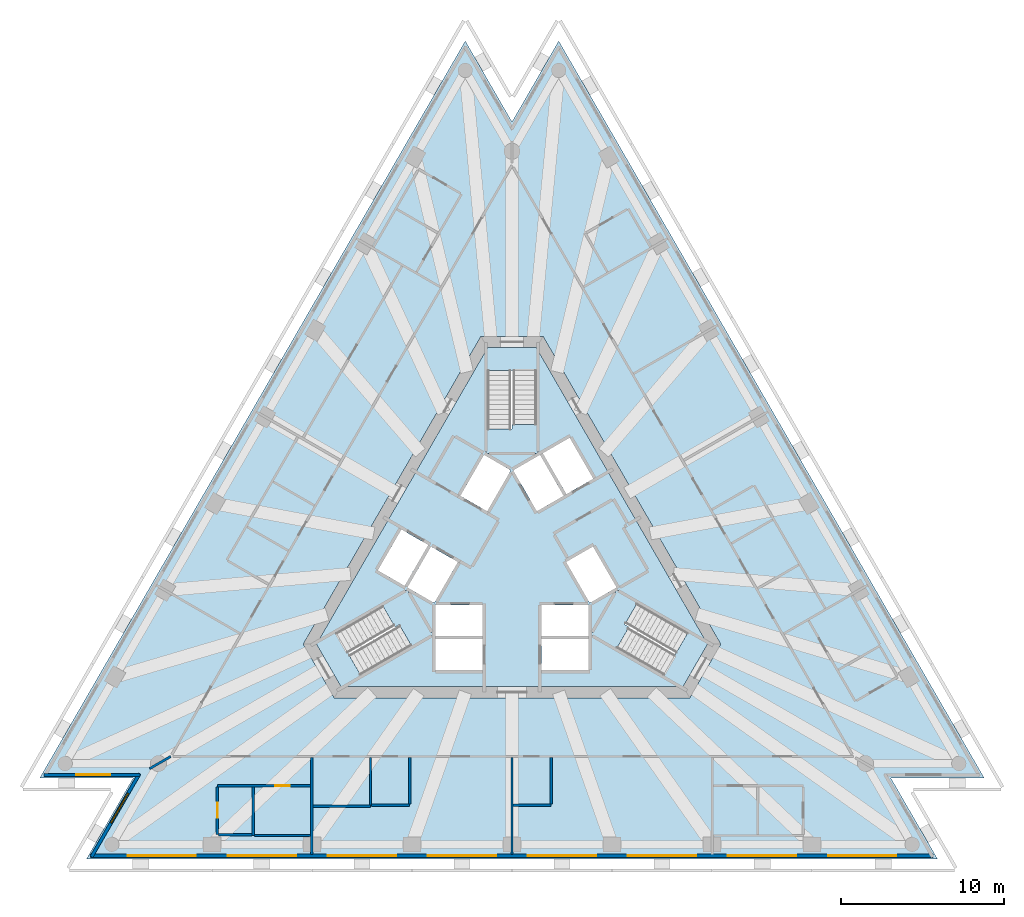
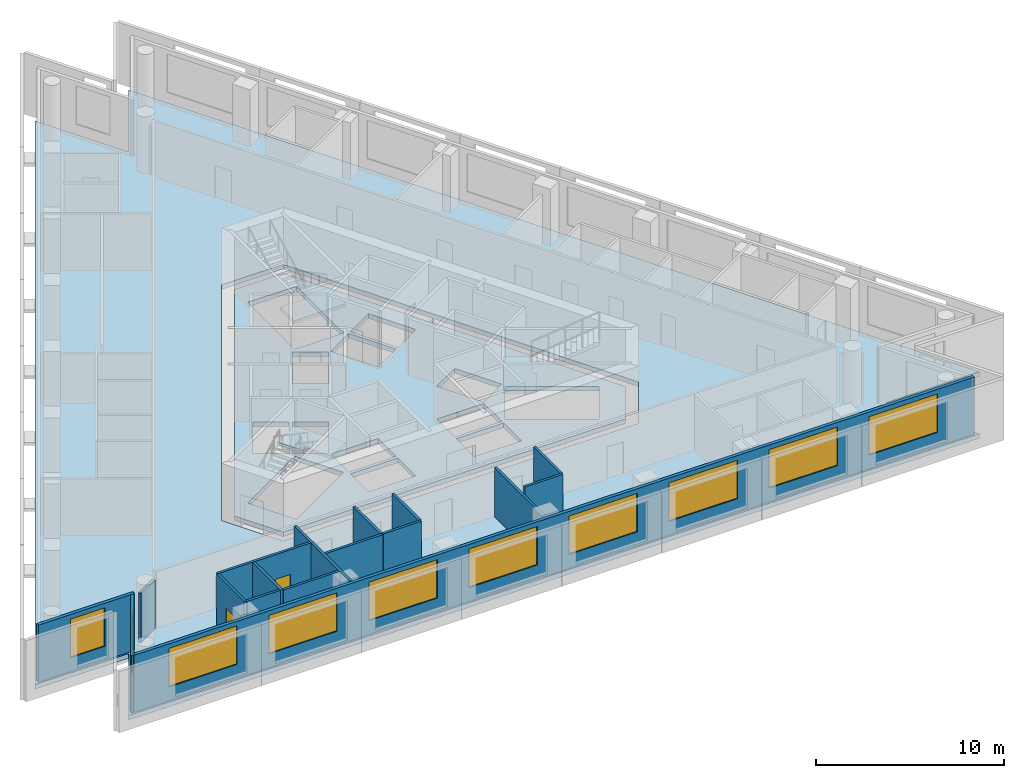
# One storey, part 2 of 9: 17 walls, 10 windows, 5 slabs, 2 doors, 12 openings, 3 elements without a shape of their own.
"""IFC4 building model written with IfcOpenShell, lengths in metres."""

from ifc_helpers import new_model, si_unit, direction, frame, frame_2d, origin, place, context, subcontext, project, spatial, polyline, rectangle, outline, extrude, material, layer, layer_set, layer_usage, type_object, element, fill, aggregate, save


model = new_model("IFC4")

# Units and contexts
model_context = context("Model", 3, precision=1e-05, world=origin(), true_north=direction((0.0, 1.0)))
body_context = subcontext(model_context, "Body", "Model", "MODEL_VIEW")
ifc_project = project(units=[si_unit("LENGTHUNIT", "METRE"), si_unit("AREAUNIT", "SQUARE_METRE"), si_unit("VOLUMEUNIT", "CUBIC_METRE"), si_unit("PLANEANGLEUNIT", "RADIAN"), si_unit("MASSUNIT", "GRAM", prefix="KILO")], contexts=[model_context])

# Site, building, storey
site_placement = place(None, origin())
site = spatial("IfcSite", under=ifc_project, at=site_placement, CompositionType="ELEMENT")
building_placement = place(site_placement, origin())
building = spatial("IfcBuilding", under=site, at=building_placement, Name="Triada Interchange Tower", CompositionType="ELEMENT")
storey_placement = place(building_placement, frame((0.0, 0.0, 203.300048828125)))
storey = spatial("IfcBuildingStorey", under=building, at=storey_placement, Name="L47", CompositionType="ELEMENT", Elevation=203.300048828125)

# Slabs
ifc_material_1 = material(Name="Concrete C50/60", Category="concrete")
ifc_layer_1 = layer(ifc_material_1, 0.300048828125)
ifc_layer_set_1 = layer_set([ifc_layer_1], Name="Floor slab 300")
slab_type_1 = type_object("IfcSlabType", Name="Floor slab 300", PredefinedType="FLOOR", material=ifc_layer_set_1)
slab_1_placement = place(storey_placement, frame((0.0, 0.0, -0.300048828125)))
element("IfcSlab", 1, at=slab_1_placement, inside=storey, type_object=slab_type_1, Name="Floor slab L47", PredefinedType="FLOOR", context=body_context, shape_type="SweptSolid", body=[
    extrude(outline(polyline([(-2.868896484375, 31.8349609375), (-29.0048828125, -13.43310546875), (-23.26708984375, -13.43310546875), (-26.135986328125, -18.402099609375), (26.135986328125, -18.402099609375), (23.26708984375, -13.43310546875), (29.0048828125, -13.43310546875), (2.868896484375, 31.8349609375), (0.0, 26.866943359375), (-2.868896484375, 31.8349609375)]), holes=[polyline([(1.905029296875, 13.699951171875), (-1.905029296875, 13.699951171875), (-12.81689453125, -5.199951171875), (-10.912109375, -8.5), (10.912109375, -8.5), (12.81689453125, -5.199951171875), (1.905029296875, 13.699951171875)])]), origin(), (0.0, 0.0, 1.0), 0.300048828125),
])
slab_2_placement = place(storey_placement, frame((0.0, 0.0, -0.300048828125)))
element("IfcSlab", 2, at=slab_2_placement, inside=storey, type_object=slab_type_1, Name="Core floor slab L47 1", PredefinedType="FLOOR", context=body_context, shape_type="SweptSolid", body=[
    extrude(outline(polyline([(12.009033203125, -5.199951171875), (10.508056640625, -7.800048828125), (-10.508056640625, -7.800048828125), (-12.009033203125, -5.199951171875), (-1.5009765625, 13.0), (1.5009765625, 13.0), (12.009033203125, -5.199951171875)]), holes=[polyline([(9.2958984375, -7.09912109375), (10.7958984375, -4.5009765625), (6.466064453125, -2.0009765625), (4.966064453125, -4.59912109375), (9.2958984375, -7.09912109375)]), polyline([(4.77490234375, -2.669921875), (6.419921875, -1.719970703125), (4.969970703125, 0.791015625), (4.137939453125, 0.31103515625), (3.324951171875, -0.158935546875), (4.77490234375, -2.669921875)]), polyline([(1.89404296875, 6.52001953125), (3.343994140625, 4.009033203125), (4.989013671875, 4.958984375), (3.5390625, 7.469970703125), (1.89404296875, 6.52001953125)]), polyline([(1.800048828125, -4.89990234375), (1.800048828125, -6.4990234375), (1.800048828125, -6.800048828125), (4.699951171875, -6.800048828125), (4.699951171875, -4.89990234375), (1.800048828125, -4.89990234375)]), polyline([(4.699951171875, -2.800048828125), (1.800048828125, -2.800048828125), (1.800048828125, -4.699951171875), (4.699951171875, -4.699951171875), (4.699951171875, -2.800048828125)]), polyline([(0.074951171875, 5.469970703125), (1.52490234375, 2.958984375), (3.169921875, 3.908935546875), (1.719970703125, 6.419921875), (0.074951171875, 5.469970703125)]), polyline([(-1.5, 11.60009765625), (-1.5, 6.60009765625), (1.5, 6.60009765625), (1.5, 11.60009765625), (-1.5, 11.60009765625)]), polyline([(-1.52490234375, 2.958984375), (-0.074951171875, 5.469970703125), (-1.719970703125, 6.419921875), (-3.169921875, 3.908935546875), (-1.52490234375, 2.958984375)]), polyline([(-1.800048828125, -2.800048828125), (-4.699951171875, -2.800048828125), (-4.699951171875, -4.699951171875), (-1.800048828125, -4.699951171875), (-1.800048828125, -2.800048828125)]), polyline([(-4.699951171875, -6.800048828125), (-1.800048828125, -6.800048828125), (-1.800048828125, -6.4990234375), (-1.800048828125, -4.89990234375), (-4.699951171875, -4.89990234375), (-4.699951171875, -6.800048828125)]), polyline([(-3.367919921875, -0.134033203125), (-4.969970703125, 0.791015625), (-6.419921875, -1.719970703125), (-4.77490234375, -2.669921875), (-3.324951171875, -0.158935546875), (-3.367919921875, -0.134033203125)]), polyline([(-10.7958984375, -4.5009765625), (-9.2958984375, -7.09912109375), (-4.966064453125, -4.59912109375), (-6.466064453125, -2.0009765625), (-10.7958984375, -4.5009765625)]), polyline([(-6.593994140625, -1.6201171875), (-5.14404296875, 0.89111328125), (-6.7890625, 1.841064453125), (-8.239013671875, -0.669921875), (-6.593994140625, -1.6201171875)])]), origin(), (0.0, 0.0, 1.0), 0.300048828125),
])

# Stair, slab
ifc_material_2 = material(Name="Concrete C35/45", Category="concrete")
stair_type = type_object("IfcStairType", Name="HALF TURN STAIR 1400", PredefinedType="HALF_TURN_STAIR", material=ifc_material_2)
stair_1_placement = place(storey_placement, origin())
stair_1 = element("IfcStair", 3, at=stair_1_placement, inside=storey, type_object=stair_type, Name="Exit stair S47-1", PredefinedType="HALF_TURN_STAIR")
ifc_layer_2 = layer(ifc_material_2, 0.199951171875)
ifc_layer_set_2 = layer_set([ifc_layer_2], Name="STAIR LANDING 200")
slab_type_2 = type_object("IfcSlabType", Name="STAIR LANDING 200", PredefinedType="LANDING", material=ifc_layer_set_2)
slab_3_placement = place(storey_placement, frame((0.0, 0.0, 1.719970703125)))
slab_3 = element("IfcSlab", 4, at=slab_3_placement, type_object=slab_type_2, Name="S47-1 landing 1", PredefinedType="LANDING", context=body_context, shape_type="SweptSolid", body=[
    extrude(outline(polyline([(1.60009765625, 6.5), (1.60009765625, 8.300048828125), (0.0, 8.300048828125), (0.0, 8.0), (-1.60009765625, 8.0), (-1.60009765625, 6.5), (1.60009765625, 6.5)])), origin(), (0.0, 0.0, 1.0), 0.199951171875),
])
aggregate(stair_1, [slab_3])

stair_2_placement = place(storey_placement, origin())
stair_2 = element("IfcStair", 5, at=stair_2_placement, inside=storey, type_object=stair_type, Name="Exit stair S47-2", PredefinedType="HALF_TURN_STAIR")
slab_4_placement = place(storey_placement, frame((0.0, 0.0, 1.719970703125)))
slab_4 = element("IfcSlab", 6, at=slab_4_placement, type_object=slab_type_2, Name="S47-2 landing 1", PredefinedType="LANDING", context=body_context, shape_type="SweptSolid", body=[
    extrude(outline(polyline([(-6.428955078125, -1.864013671875), (-7.988037109375, -2.763916015625), (-7.18798828125, -4.14990234375), (-6.927978515625, -4.0), (-6.1279296875, -5.385986328125), (-4.8291015625, -4.635986328125), (-6.428955078125, -1.864013671875)])), origin(), (0.0, 0.0, 1.0), 0.199951171875),
])
aggregate(stair_2, [slab_4])

stair_3_placement = place(storey_placement, origin())
stair_3 = element("IfcStair", 7, at=stair_3_placement, inside=storey, type_object=stair_type, Name="Exit stair S47-3", PredefinedType="HALF_TURN_STAIR")
slab_5_placement = place(storey_placement, frame((0.0, 0.0, 1.719970703125)))
slab_5 = element("IfcSlab", 8, at=slab_5_placement, type_object=slab_type_2, Name="S47-3 landing 1", PredefinedType="LANDING", context=body_context, shape_type="SweptSolid", body=[
    extrude(outline(polyline([(4.8291015625, -4.635986328125), (6.387939453125, -5.535888671875), (7.18798828125, -4.14990234375), (6.927978515625, -4.0), (7.72802734375, -2.614013671875), (6.428955078125, -1.864013671875), (4.8291015625, -4.635986328125)])), origin(), (0.0, 0.0, 1.0), 0.199951171875),
])
aggregate(stair_3, [slab_5])

# Wall, opening, window
ifc_material_3 = material(Name="Cement board")
ifc_layer_3 = layer(ifc_material_3, 0.02001953125, Name="Cement board cladding")
ifc_material_4 = material(Name="Sheathing board")
ifc_layer_4 = layer(ifc_material_4, 0.014892578125, Name="Sheathing board")
ifc_material_5 = material(Name="Mineral wool")
ifc_layer_5 = layer(ifc_material_5, 0.14990234375, Name="Mineral wool between steel studs")
ifc_material_6 = material(Name="Gypsum board")
ifc_layer_6 = layer(ifc_material_6, 0.014892578125, Name="Plasterboard lining")
ifc_layer_set_3 = layer_set([ifc_layer_3, ifc_layer_4, ifc_layer_5, ifc_layer_6], Name="External wall 200")
ifc_layer_usage = layer_usage(ifc_layer_set_3, "AXIS2", "POSITIVE", -0.10009765625)
wall_type_1 = type_object("IfcWallType", Name="External wall 200", PredefinedType="ELEMENTEDWALL", material=ifc_layer_set_3)
wall_1_placement = place(storey_placement, frame((-28.7490234375, -13.23291015625, 0.0), z_axis=(0.0, 0.0, 1.0), x_axis=(1.0, 0.0, 0.0)))
wall_1 = element("IfcWall", 9, at=wall_1_placement, inside=storey, type_object=wall_type_1, material=ifc_layer_usage, Name="External wall L47 SW-1", PredefinedType="ELEMENTEDWALL", context=body_context, shape_type="SweptSolid", body=[
    extrude(rectangle(XDim=5.89794921875, YDim=0.199951171875, at=frame_2d((2.948974609375, 0.0))), origin(), (0.0, 0.0, 1.0), 3.699951171875),
])
opening_1_placement = place(wall_1_placement, frame((1.989990234375, 0.0, 0.89990234375)))
opening_1 = element("IfcOpeningElement", 10, at=opening_1_placement, cuts=wall_1, Name="Opening WC09", PredefinedType="OPENING", context=body_context, shape_type="SweptSolid", body=[
    extrude(rectangle(XDim=2.10009765625, YDim=2.5, at=frame_2d((1.050048828125, 1.25))), frame((0.0, 0.10986328125, 0.0), z_axis=(0.0, -1.0, 0.0), x_axis=(1.0, 0.0, 0.0)), (0.0, 0.0, 1.0), 0.219970703125),
])
ifc_material_7 = material(Name="Double glazed aluminium window", Category="aluminium")
window_type_1 = type_object("IfcWindowType", Name="Ribbon window C pocket", PartitioningType="SINGLE_PANEL", PredefinedType="WINDOW", material=ifc_material_7)
window_1_placement = place(opening_1_placement, origin())
window_1 = element("IfcWindow", 11, at=window_1_placement, inside=storey, type_object=window_type_1, Name="Window L47 SW-1 1", OverallHeight=2.5, OverallWidth=2.10009765625, PartitioningType="SINGLE_PANEL", PredefinedType="WINDOW", context=body_context, shape_type="SweptSolid", body=[
    extrude(rectangle(XDim=2.10009765625, YDim=2.5, at=frame_2d((1.050048828125, 1.25))), frame((0.0, 0.030029296875, 0.0), z_axis=(0.0, -1.0, 0.0), x_axis=(1.0, 0.0, 0.0)), (0.0, 0.0, 1.0), 0.06005859375),
])
fill(opening_1, window_1)

wall_2_placement = place(storey_placement, frame((-22.8759765625, -13.155029296875, 0.0), z_axis=(0.0, 0.0, 1.0), x_axis=(-0.499989993172, -0.866031181152, 0.0)))
wall_2 = element("IfcWall", 12, at=wall_2_placement, inside=storey, type_object=wall_type_1, material=ifc_layer_usage, Name="External wall L47 SW-2", PredefinedType="ELEMENTEDWALL", context=body_context, shape_type="SweptSolid", body=[
    extrude(rectangle(XDim=5.89794921875, YDim=0.199951171875, at=frame_2d((2.948974609375, 0.0))), origin(), (0.0, 0.0, 1.0), 3.699951171875),
])
opening_2_placement = place(wall_2_placement, frame((1.389892578125, 0.0, 0.89990234375)))
opening_2 = element("IfcOpeningElement", 13, at=opening_2_placement, cuts=wall_2, Name="Opening WC10", PredefinedType="OPENING", context=body_context, shape_type="SweptSolid", body=[
    extrude(rectangle(XDim=2.10009765625, YDim=2.5, at=frame_2d((1.050048828125, 1.25))), frame((0.0, 0.10986328125, 0.0), z_axis=(0.0, -1.0, 0.0), x_axis=(1.0, 0.0, 0.0)), (0.0, 0.0, 1.0), 0.219970703125),
])
window_2_placement = place(opening_2_placement, origin())
window_2 = element("IfcWindow", 14, at=window_2_placement, inside=storey, type_object=window_type_1, Name="Window L47 SW-2 1", OverallHeight=2.5, OverallWidth=2.10009765625, PartitioningType="SINGLE_PANEL", PredefinedType="WINDOW", context=body_context, shape_type="SweptSolid", body=[
    extrude(rectangle(XDim=2.10009765625, YDim=2.5, at=frame_2d((1.050048828125, 1.25))), frame((0.0, 0.030029296875, 0.0), z_axis=(0.0, -1.0, 0.0), x_axis=(1.0, 0.0, 0.0)), (0.0, 0.0, 1.0), 0.06005859375),
])
fill(opening_2, window_2)

# Wall, openings, windows
wall_3_placement = place(storey_placement, frame((-25.8798828125, -18.201904296875, 0.0), z_axis=(0.0, 0.0, 1.0), x_axis=(1.0, 0.0, 0.0)))
wall_3 = element("IfcWall", 15, at=wall_3_placement, inside=storey, type_object=wall_type_1, material=ifc_layer_usage, Name="External wall L47 S", PredefinedType="ELEMENTEDWALL", context=body_context, shape_type="SweptSolid", body=[
    extrude(rectangle(XDim=51.739990234375, YDim=0.199951171875, at=frame_2d((25.8701171875, 0.0))), origin(), (0.0, 0.0, 1.0), 3.699951171875),
])
opening_3_placement = place(wall_3_placement, frame((2.27490234375, 0.0, 0.89990234375)))
opening_3 = element("IfcOpeningElement", 16, at=opening_3_placement, cuts=wall_3, Name="Opening WC11", PredefinedType="OPENING", context=body_context, shape_type="SweptSolid", body=[
    extrude(rectangle(XDim=4.199951171875, YDim=2.5, at=frame_2d((2.10009765625, 1.25))), frame((0.0, 0.10986328125, 0.0), z_axis=(0.0, -1.0, 0.0), x_axis=(1.0, 0.0, 0.0)), (0.0, 0.0, 1.0), 0.219970703125),
])
opening_4_placement = place(wall_3_placement, frame((8.4189453125, 0.0, 0.89990234375)))
opening_4 = element("IfcOpeningElement", 17, at=opening_4_placement, cuts=wall_3, Name="Opening WC12", PredefinedType="OPENING", context=body_context, shape_type="SweptSolid", body=[
    extrude(rectangle(XDim=4.199951171875, YDim=2.5, at=frame_2d((2.10009765625, 1.25))), frame((0.0, 0.10986328125, 0.0), z_axis=(0.0, -1.0, 0.0), x_axis=(1.0, 0.0, 0.0)), (0.0, 0.0, 1.0), 0.219970703125),
])
opening_5_placement = place(wall_3_placement, frame((14.56396484375, 0.0, 0.89990234375)))
opening_5 = element("IfcOpeningElement", 18, at=opening_5_placement, cuts=wall_3, Name="Opening WC13", PredefinedType="OPENING", context=body_context, shape_type="SweptSolid", body=[
    extrude(rectangle(XDim=4.199951171875, YDim=2.5, at=frame_2d((2.10009765625, 1.25))), frame((0.0, 0.10986328125, 0.0), z_axis=(0.0, -1.0, 0.0), x_axis=(1.0, 0.0, 0.0)), (0.0, 0.0, 1.0), 0.219970703125),
])
opening_6_placement = place(wall_3_placement, frame((20.7080078125, 0.0, 0.89990234375)))
opening_6 = element("IfcOpeningElement", 19, at=opening_6_placement, cuts=wall_3, Name="Opening WC14", PredefinedType="OPENING", context=body_context, shape_type="SweptSolid", body=[
    extrude(rectangle(XDim=4.199951171875, YDim=2.5, at=frame_2d((2.10009765625, 1.25))), frame((0.0, 0.10986328125, 0.0), z_axis=(0.0, -1.0, 0.0), x_axis=(1.0, 0.0, 0.0)), (0.0, 0.0, 1.0), 0.219970703125),
])
opening_7_placement = place(wall_3_placement, frame((26.85205078125, 0.0, 0.89990234375)))
opening_7 = element("IfcOpeningElement", 20, at=opening_7_placement, cuts=wall_3, Name="Opening WC15", PredefinedType="OPENING", context=body_context, shape_type="SweptSolid", body=[
    extrude(rectangle(XDim=4.199951171875, YDim=2.5, at=frame_2d((2.10009765625, 1.25))), frame((0.0, 0.10986328125, 0.0), z_axis=(0.0, -1.0, 0.0), x_axis=(1.0, 0.0, 0.0)), (0.0, 0.0, 1.0), 0.219970703125),
])
opening_8_placement = place(wall_3_placement, frame((32.99609375, 0.0, 0.89990234375)))
opening_8 = element("IfcOpeningElement", 21, at=opening_8_placement, cuts=wall_3, Name="Opening WC16", PredefinedType="OPENING", context=body_context, shape_type="SweptSolid", body=[
    extrude(rectangle(XDim=4.199951171875, YDim=2.5, at=frame_2d((2.10009765625, 1.25))), frame((0.0, 0.10986328125, 0.0), z_axis=(0.0, -1.0, 0.0), x_axis=(1.0, 0.0, 0.0)), (0.0, 0.0, 1.0), 0.219970703125),
])
opening_9_placement = place(wall_3_placement, frame((39.14111328125, 0.0, 0.89990234375)))
opening_9 = element("IfcOpeningElement", 22, at=opening_9_placement, cuts=wall_3, Name="Opening WC17", PredefinedType="OPENING", context=body_context, shape_type="SweptSolid", body=[
    extrude(rectangle(XDim=4.199951171875, YDim=2.5, at=frame_2d((2.10009765625, 1.25))), frame((0.0, 0.10986328125, 0.0), z_axis=(0.0, -1.0, 0.0), x_axis=(1.0, 0.0, 0.0)), (0.0, 0.0, 1.0), 0.219970703125),
])
opening_10_placement = place(wall_3_placement, frame((45.284912109375, 0.0, 0.89990234375)))
opening_10 = element("IfcOpeningElement", 23, at=opening_10_placement, cuts=wall_3, Name="Opening WC18", PredefinedType="OPENING", context=body_context, shape_type="SweptSolid", body=[
    extrude(rectangle(XDim=4.199951171875, YDim=2.5, at=frame_2d((2.10009765625, 1.25))), frame((0.0, 0.10986328125, 0.0), z_axis=(0.0, -1.0, 0.0), x_axis=(1.0, 0.0, 0.0)), (0.0, 0.0, 1.0), 0.219970703125),
])
window_type_2 = type_object("IfcWindowType", Name="Ribbon window C face", PartitioningType="SINGLE_PANEL", PredefinedType="WINDOW", material=ifc_material_7)
window_3_placement = place(opening_3_placement, origin())
window_3 = element("IfcWindow", 24, at=window_3_placement, inside=storey, type_object=window_type_2, Name="Window L47 S 1", OverallHeight=2.5, OverallWidth=4.199951171875, PartitioningType="SINGLE_PANEL", PredefinedType="WINDOW", context=body_context, shape_type="SweptSolid", body=[
    extrude(rectangle(XDim=4.199951171875, YDim=2.5, at=frame_2d((2.10009765625, 1.25))), frame((0.0, 0.030029296875, 0.0), z_axis=(0.0, -1.0, 0.0), x_axis=(1.0, 0.0, 0.0)), (0.0, 0.0, 1.0), 0.06005859375),
])
fill(opening_3, window_3)
window_4_placement = place(opening_4_placement, origin())
window_4 = element("IfcWindow", 25, at=window_4_placement, inside=storey, type_object=window_type_2, Name="Window L47 S 2", OverallHeight=2.5, OverallWidth=4.199951171875, PartitioningType="SINGLE_PANEL", PredefinedType="WINDOW", context=body_context, shape_type="SweptSolid", body=[
    extrude(rectangle(XDim=4.199951171875, YDim=2.5, at=frame_2d((2.10009765625, 1.25))), frame((0.0, 0.030029296875, 0.0), z_axis=(0.0, -1.0, 0.0), x_axis=(1.0, 0.0, 0.0)), (0.0, 0.0, 1.0), 0.06005859375),
])
fill(opening_4, window_4)
window_5_placement = place(opening_5_placement, origin())
window_5 = element("IfcWindow", 26, at=window_5_placement, inside=storey, type_object=window_type_2, Name="Window L47 S 3", OverallHeight=2.5, OverallWidth=4.199951171875, PartitioningType="SINGLE_PANEL", PredefinedType="WINDOW", context=body_context, shape_type="SweptSolid", body=[
    extrude(rectangle(XDim=4.199951171875, YDim=2.5, at=frame_2d((2.10009765625, 1.25))), frame((0.0, 0.030029296875, 0.0), z_axis=(0.0, -1.0, 0.0), x_axis=(1.0, 0.0, 0.0)), (0.0, 0.0, 1.0), 0.06005859375),
])
fill(opening_5, window_5)
window_6_placement = place(opening_6_placement, origin())
window_6 = element("IfcWindow", 27, at=window_6_placement, inside=storey, type_object=window_type_2, Name="Window L47 S 4", OverallHeight=2.5, OverallWidth=4.199951171875, PartitioningType="SINGLE_PANEL", PredefinedType="WINDOW", context=body_context, shape_type="SweptSolid", body=[
    extrude(rectangle(XDim=4.199951171875, YDim=2.5, at=frame_2d((2.10009765625, 1.25))), frame((0.0, 0.030029296875, 0.0), z_axis=(0.0, -1.0, 0.0), x_axis=(1.0, 0.0, 0.0)), (0.0, 0.0, 1.0), 0.06005859375),
])
fill(opening_6, window_6)
window_7_placement = place(opening_7_placement, origin())
window_7 = element("IfcWindow", 28, at=window_7_placement, inside=storey, type_object=window_type_2, Name="Window L47 S 5", OverallHeight=2.5, OverallWidth=4.199951171875, PartitioningType="SINGLE_PANEL", PredefinedType="WINDOW", context=body_context, shape_type="SweptSolid", body=[
    extrude(rectangle(XDim=4.199951171875, YDim=2.5, at=frame_2d((2.10009765625, 1.25))), frame((0.0, 0.030029296875, 0.0), z_axis=(0.0, -1.0, 0.0), x_axis=(1.0, 0.0, 0.0)), (0.0, 0.0, 1.0), 0.06005859375),
])
fill(opening_7, window_7)
window_8_placement = place(opening_8_placement, origin())
window_8 = element("IfcWindow", 29, at=window_8_placement, inside=storey, type_object=window_type_2, Name="Window L47 S 6", OverallHeight=2.5, OverallWidth=4.199951171875, PartitioningType="SINGLE_PANEL", PredefinedType="WINDOW", context=body_context, shape_type="SweptSolid", body=[
    extrude(rectangle(XDim=4.199951171875, YDim=2.5, at=frame_2d((2.10009765625, 1.25))), frame((0.0, 0.030029296875, 0.0), z_axis=(0.0, -1.0, 0.0), x_axis=(1.0, 0.0, 0.0)), (0.0, 0.0, 1.0), 0.06005859375),
])
fill(opening_8, window_8)
window_9_placement = place(opening_9_placement, origin())
window_9 = element("IfcWindow", 30, at=window_9_placement, inside=storey, type_object=window_type_2, Name="Window L47 S 7", OverallHeight=2.5, OverallWidth=4.199951171875, PartitioningType="SINGLE_PANEL", PredefinedType="WINDOW", context=body_context, shape_type="SweptSolid", body=[
    extrude(rectangle(XDim=4.199951171875, YDim=2.5, at=frame_2d((2.10009765625, 1.25))), frame((0.0, 0.030029296875, 0.0), z_axis=(0.0, -1.0, 0.0), x_axis=(1.0, 0.0, 0.0)), (0.0, 0.0, 1.0), 0.06005859375),
])
fill(opening_9, window_9)
window_10_placement = place(opening_10_placement, origin())
window_10 = element("IfcWindow", 31, at=window_10_placement, inside=storey, type_object=window_type_2, Name="Window L47 S 8", OverallHeight=2.5, OverallWidth=4.199951171875, PartitioningType="SINGLE_PANEL", PredefinedType="WINDOW", context=body_context, shape_type="SweptSolid", body=[
    extrude(rectangle(XDim=4.199951171875, YDim=2.5, at=frame_2d((2.10009765625, 1.25))), frame((0.0, 0.030029296875, 0.0), z_axis=(0.0, -1.0, 0.0), x_axis=(1.0, 0.0, 0.0)), (0.0, 0.0, 1.0), 0.06005859375),
])
fill(opening_10, window_10)

# Walls
ifc_material_8 = material(Name="Gypsum board partition")
ifc_layer_7 = layer(ifc_material_8, 0.14990234375)
ifc_layer_set_4 = layer_set([ifc_layer_7], Name="PARTITION 150 EI 180")
wall_type_2 = type_object("IfcWallType", Name="PARTITION 150 EI 180", PredefinedType="PARTITIONING", material=ifc_layer_set_4)
wall_4_placement = place(storey_placement, frame((-22.2451171875, -12.843017578125, 0.0), z_axis=(0.0, 0.0, 1.0), x_axis=(0.865961433946, 0.500110782645, 0.0)))
element("IfcWall", 32, at=wall_4_placement, inside=storey, type_object=wall_type_2, Name="Wall L47 1", PredefinedType="PARTITIONING", context=body_context, shape_type="SweptSolid", body=[
    extrude(rectangle(XDim=1.487548828125, YDim=0.14990234375, at=frame_2d((0.74365234375, 0.0))), origin(), (0.0, 0.0, 1.0), 3.199951171875),
])
wall_5_placement = place(storey_placement, frame((-12.2880859375, -18.1220703125, 0.0), z_axis=(0.0, 0.0, 1.0), x_axis=(0.0, 1.0, 0.0)))
element("IfcWall", 33, at=wall_5_placement, inside=storey, type_object=wall_type_2, Name="Wall L47 12", PredefinedType="PARTITIONING", context=body_context, shape_type="SweptSolid", body=[
    extrude(rectangle(XDim=5.947021484375, YDim=0.14990234375, at=frame_2d((2.9736328125, 0.0))), origin(), (0.0, 0.0, 1.0), 3.699951171875),
])
wall_6_placement = place(storey_placement, frame((-12.212890625, -15.15087890625, 0.0), z_axis=(0.0, 0.0, 1.0), x_axis=(1.0, 0.0, 0.0)))
element("IfcWall", 34, at=wall_6_placement, inside=storey, type_object=wall_type_2, Name="Wall L47 13", PredefinedType="PARTITIONING", context=body_context, shape_type="SweptSolid", body=[
    extrude(rectangle(XDim=3.52490234375, YDim=0.14990234375, at=frame_2d((1.762451171875, 0.0))), origin(), (0.0, 0.0, 1.0), 3.699951171875),
])
wall_7_placement = place(storey_placement, frame((-8.68798828125, -15.075927734375, 0.0), z_axis=(0.0, 0.0, 1.0), x_axis=(0.0, 1.0, 0.0)))
element("IfcWall", 35, at=wall_7_placement, inside=storey, type_object=wall_type_2, Name="Wall L47 14", PredefinedType="PARTITIONING", context=body_context, shape_type="SweptSolid", body=[
    extrude(rectangle(XDim=2.90087890625, YDim=0.14990234375, at=frame_2d((1.450439453125, 0.0))), origin(), (0.0, 0.0, 1.0), 3.699951171875),
])
for number, where, z_axis, x_axis, name in (
    (36, (-8.613037109375, -15.10009765625, 0.0), (0.0, 0.0, 1.0), (1.0, 0.0, 0.0), "Wall L47 16"),
    (37, (0.074951171875, -15.10009765625, 0.0), (0.0, 0.0, 1.0), (1.0, 0.0, 0.0), "Wall L47 17"),
):
    element("IfcWall", number, at=place(storey_placement, frame(where, z_axis=z_axis, x_axis=x_axis)), inside=storey, type_object=wall_type_2, Name=name, PredefinedType="PARTITIONING", context=body_context, shape_type="SweptSolid", body=[
        extrude(rectangle(XDim=2.324951171875, YDim=0.14990234375, at=frame_2d((1.16259765625, 0.0))), origin(), (0.0, 0.0, 1.0), 3.699951171875),
    ])
wall_8_placement = place(storey_placement, frame((-6.2880859375, -15.02490234375, 0.0), z_axis=(0.0, 0.0, 1.0), x_axis=(0.0, 1.0, 0.0)))
element("IfcWall", 38, at=wall_8_placement, inside=storey, type_object=wall_type_2, Name="Wall L47 18", PredefinedType="PARTITIONING", context=body_context, shape_type="SweptSolid", body=[
    extrude(rectangle(XDim=2.849853515625, YDim=0.14990234375, at=frame_2d((1.4248046875, 0.0))), origin(), (0.0, 0.0, 1.0), 3.699951171875),
])
wall_9_placement = place(storey_placement, frame((0.0, -18.1220703125, 0.0), z_axis=(0.0, 0.0, 1.0), x_axis=(0.0, 1.0, 0.0)))
element("IfcWall", 39, at=wall_9_placement, inside=storey, type_object=wall_type_2, Name="Wall L47 19", PredefinedType="PARTITIONING", context=body_context, shape_type="SweptSolid", body=[
    extrude(rectangle(XDim=5.947021484375, YDim=0.14990234375, at=frame_2d((2.9736328125, 0.0))), origin(), (0.0, 0.0, 1.0), 3.199951171875),
])
wall_10_placement = place(storey_placement, frame((2.39990234375, -15.02490234375, 0.0), z_axis=(0.0, 0.0, 1.0), x_axis=(0.0, 1.0, 0.0)))
element("IfcWall", 40, at=wall_10_placement, inside=storey, type_object=wall_type_2, Name="Wall L47 21", PredefinedType="PARTITIONING", context=body_context, shape_type="SweptSolid", body=[
    extrude(rectangle(XDim=2.849853515625, YDim=0.14990234375, at=frame_2d((1.4248046875, 0.0))), origin(), (0.0, 0.0, 1.0), 3.699951171875),
])
ifc_layer_8 = layer(ifc_material_8, 0.14990234375)
ifc_layer_set_5 = layer_set([ifc_layer_8], Name="PARTITION 150 EI 90")
wall_type_3 = type_object("IfcWallType", Name="PARTITION 150 EI 90", PredefinedType="PARTITIONING", material=ifc_layer_set_5)
wall_11_placement = place(storey_placement, frame((-15.887939453125, -16.950927734375, 0.0), z_axis=(0.0, 0.0, 1.0), x_axis=(0.0, 1.0, 0.0)))
element("IfcWall", 41, at=wall_11_placement, inside=storey, type_object=wall_type_3, Name="Wall L47 31", PredefinedType="PARTITIONING", context=body_context, shape_type="SweptSolid", body=[
    extrude(rectangle(XDim=2.975830078125, YDim=0.14990234375, at=frame_2d((1.48779296875, 0.0))), origin(), (0.0, 0.0, 1.0), 3.699951171875),
])

# Wall, opening, door
wall_12_placement = place(storey_placement, frame((-18.087890625, -13.89990234375, 0.0), z_axis=(0.0, 0.0, 1.0), x_axis=(1.0, 0.0, 0.0)))
wall_12 = element("IfcWall", 42, at=wall_12_placement, inside=storey, type_object=wall_type_3, Name="Wall L47 32", PredefinedType="PARTITIONING", context=body_context, shape_type="SweptSolid", body=[
    extrude(rectangle(XDim=5.724853515625, YDim=0.14990234375, at=frame_2d((2.8623046875, 0.0))), origin(), (0.0, 0.0, 1.0), 3.699951171875),
])
opening_11_placement = place(wall_12_placement, frame((3.550048828125, 0.0, 0.0)))
opening_11 = element("IfcOpeningElement", 43, at=opening_11_placement, cuts=wall_12, Name="Opening D47-12", PredefinedType="OPENING", context=body_context, shape_type="SweptSolid", body=[
    extrude(rectangle(XDim=0.89990234375, YDim=2.10009765625, at=frame_2d((0.449951171875, 1.050048828125))), frame((0.0, 0.0849609375, 0.0), z_axis=(0.0, -1.0, 0.0), x_axis=(1.0, 0.0, 0.0)), (0.0, 0.0, 1.0), 0.169921875),
])
ifc_material_9 = material(Name="Steel S235 door leaf", Category="steel")
door_type_1 = type_object("IfcDoorType", Name="ROOM DOOR 900 EI2 45-C5S200", OperationType="NOTDEFINED", PredefinedType="DOOR", material=ifc_material_9)
door_1_placement = place(opening_11_placement, origin())
door_1 = element("IfcDoor", 44, at=door_1_placement, inside=storey, type_object=door_type_1, Name="Door D47-12 L47", OperationType="SINGLE_SWING_LEFT", OverallHeight=2.10009765625, OverallWidth=0.89990234375, PredefinedType="DOOR", context=body_context, shape_type="SweptSolid", body=[
    extrude(rectangle(XDim=0.89990234375, YDim=2.10009765625, at=frame_2d((0.449951171875, 1.050048828125))), frame((0.0, 0.02490234375, 0.0), z_axis=(0.0, -1.0, 0.0), x_axis=(1.0, 0.0, 0.0)), (0.0, 0.0, 1.0), 0.050048828125),
])
fill(opening_11, door_1)

wall_13_placement = place(storey_placement, frame((-18.087890625, -16.89990234375, 0.0), z_axis=(0.0, 0.0, 1.0), x_axis=(0.0, 1.0, 0.0)))
wall_13 = element("IfcWall", 45, at=wall_13_placement, inside=storey, type_object=wall_type_3, Name="Wall L47 34", PredefinedType="PARTITIONING", context=body_context, shape_type="SweptSolid", body=[
    extrude(rectangle(XDim=2.9248046875, YDim=0.14990234375, at=frame_2d((1.46240234375, 0.0))), origin(), (0.0, 0.0, 1.0), 3.699951171875),
])
opening_12_placement = place(wall_13_placement, frame((1.050048828125, 0.0, 0.0)))
opening_12 = element("IfcOpeningElement", 46, at=opening_12_placement, cuts=wall_13, Name="Opening D47-13", PredefinedType="OPENING", context=body_context, shape_type="SweptSolid", body=[
    extrude(rectangle(XDim=0.89990234375, YDim=2.10009765625, at=frame_2d((0.449951171875, 1.050048828125))), frame((0.0, 0.0849609375, 0.0), z_axis=(0.0, -1.0, 0.0), x_axis=(1.0, 0.0, 0.0)), (0.0, 0.0, 1.0), 0.169921875),
])
door_type_2 = type_object("IfcDoorType", Name="SERVICE DOOR 900 EI2 45-C5S200", OperationType="NOTDEFINED", PredefinedType="DOOR", material=ifc_material_9)
door_2_placement = place(opening_12_placement, origin())
door_2 = element("IfcDoor", 47, at=door_2_placement, inside=storey, type_object=door_type_2, Name="Door D47-13 L47", OperationType="SINGLE_SWING_RIGHT", OverallHeight=2.10009765625, OverallWidth=0.89990234375, PredefinedType="DOOR", context=body_context, shape_type="SweptSolid", body=[
    extrude(rectangle(XDim=0.89990234375, YDim=2.10009765625, at=frame_2d((0.449951171875, 1.050048828125))), frame((0.0, 0.02490234375, 0.0), z_axis=(0.0, -1.0, 0.0), x_axis=(1.0, 0.0, 0.0)), (0.0, 0.0, 1.0), 0.050048828125),
])
fill(opening_12, door_2)

# Walls
wall_14_placement = place(storey_placement, frame((-18.012939453125, -16.89990234375, 0.0), z_axis=(0.0, 0.0, 1.0), x_axis=(1.0, 0.0, 0.0)))
element("IfcWall", 48, at=wall_14_placement, inside=storey, type_object=wall_type_3, Name="Wall L47 35", PredefinedType="PARTITIONING", context=body_context, shape_type="SweptSolid", body=[
    extrude(rectangle(XDim=2.050048828125, YDim=0.14990234375, at=frame_2d((1.02490234375, 0.0))), origin(), (0.0, 0.0, 1.0), 3.699951171875),
])
wall_15_placement = place(storey_placement, frame((-15.81298828125, -16.950927734375, 0.0), z_axis=(0.0, 0.0, 1.0), x_axis=(1.0, 0.0, 0.0)))
element("IfcWall", 49, at=wall_15_placement, inside=storey, type_object=wall_type_3, Name="Wall L47 36", PredefinedType="PARTITIONING", context=body_context, shape_type="SweptSolid", body=[
    extrude(rectangle(XDim=3.449951171875, YDim=0.14990234375, at=frame_2d((1.72509765625, 0.0))), origin(), (0.0, 0.0, 1.0), 3.699951171875),
])

save(model, "model.ifc")
